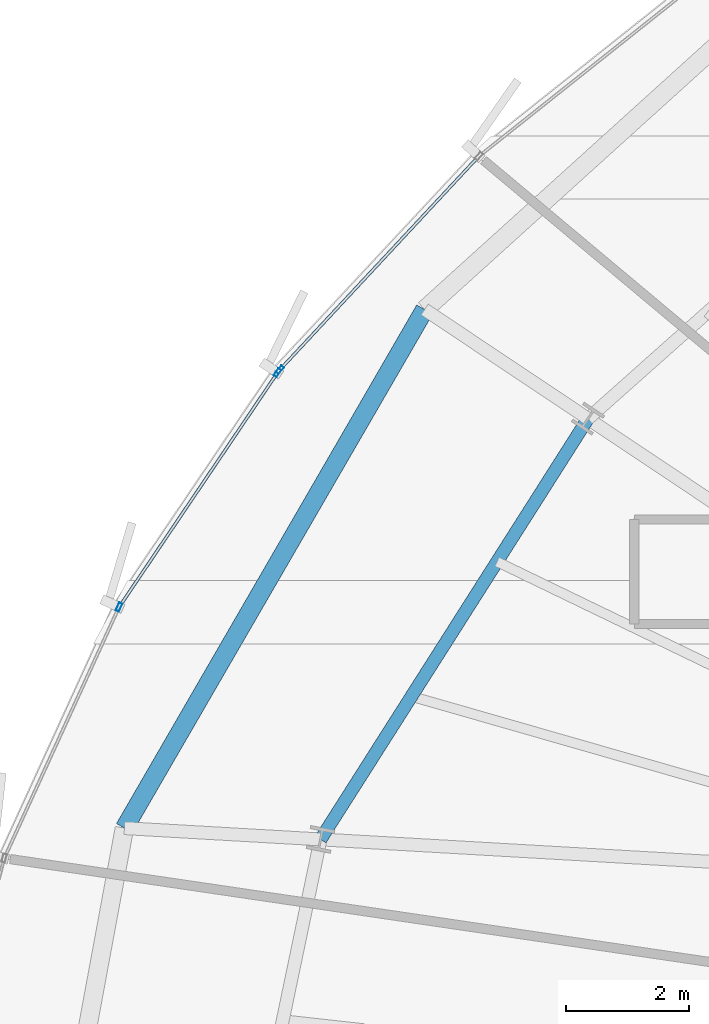
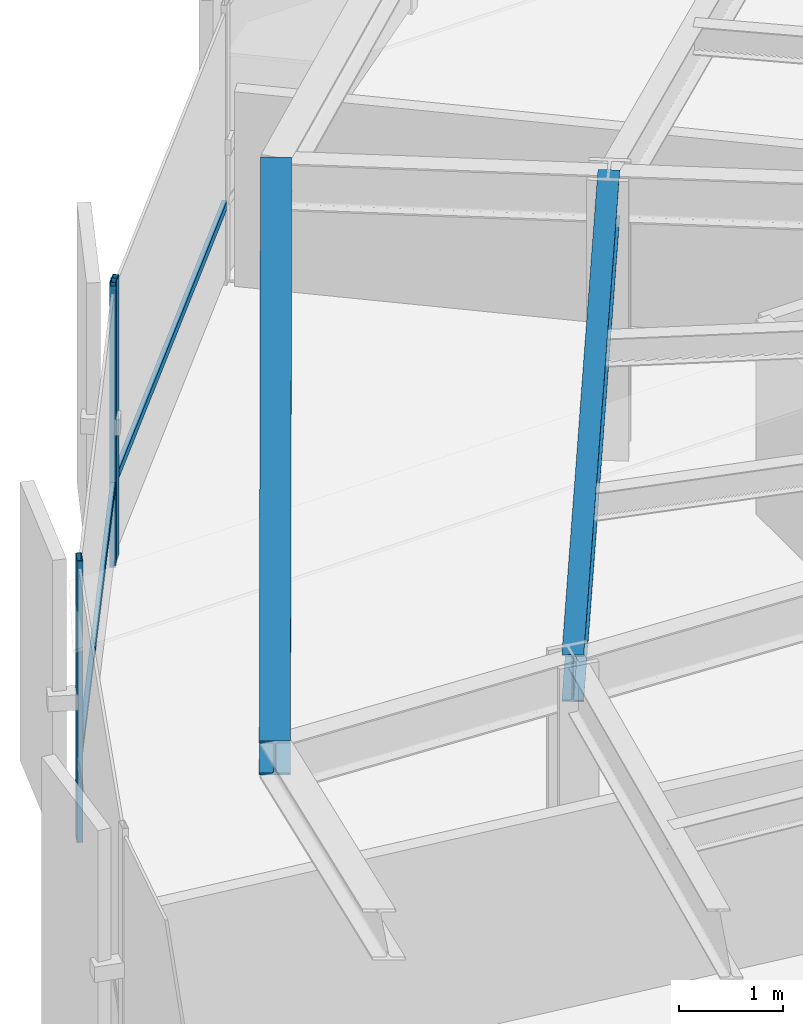
# One storey, part 18 of 35: 5 members, 2 beams, 2 elements without a shape of their own.
"""IFC4 building model written with IfcOpenShell, lengths in metres."""

from ifc_helpers import new_model, si_unit, direction, frame, origin, origin_2d, place, context, subcontext, project, spatial, hollow_rectangle, i_section, extrude, source, transform, mapped, material, layer, layer_set, material_profile, profile_set, type_object, element, aggregate, save


model = new_model("IFC4")

# Units and contexts
model_context = context("Model", 3, precision=1e-05, world=origin(), true_north=direction((0.0, 1.0)))
body_context = subcontext(model_context, "Body", "Model", "MODEL_VIEW")
ifc_project = project(units=[si_unit("LENGTHUNIT", "METRE"), si_unit("AREAUNIT", "SQUARE_METRE"), si_unit("VOLUMEUNIT", "CUBIC_METRE"), si_unit("PLANEANGLEUNIT", "RADIAN"), si_unit("MASSUNIT", "GRAM", prefix="KILO"), si_unit("THERMODYNAMICTEMPERATUREUNIT", "KELVIN")], contexts=[model_context])

# Site, building, storey
site_placement = place(None, origin())
site = spatial("IfcSite", under=ifc_project, at=site_placement, CompositionType="ELEMENT")
building_placement = place(site_placement, origin())
building = spatial("IfcBuilding", under=site, at=building_placement, Name="Kethvar Cultural Tower", CompositionType="ELEMENT")
storey_placement = place(building_placement, frame((0.0, 0.0, 139.449951171875)))
storey = spatial("IfcBuildingStorey", under=building, at=storey_placement, Name="L35", CompositionType="ELEMENT", Elevation=139.449951171875)

# Beams
ifc_material_1 = material(Name="Steel S355J2", Category="steel")
ifc_material_profile_1 = material_profile(ifc_material_1, i_section(OverallWidth=0.2099609375, OverallDepth=0.550048828125, WebThickness=0.010986328125, FlangeThickness=0.01708984375, FilletRadius=0.02392578125, at=origin_2d()), Name="Steel S355J2 — IPE550")
ifc_profile_set_1 = profile_set([ifc_material_profile_1], Name="Steel S355J2 — IPE550")
beam_type_1 = type_object("IfcBeamType", Name="BM-IPE550", PredefinedType="BEAM", material=ifc_profile_set_1)
shared_shape_1 = source(origin(), body_context, "Body", "SweptSolid", [
    extrude(i_section(OverallWidth=0.2099609375, OverallDepth=0.550048828125, WebThickness=0.010986328125, FlangeThickness=0.01708984375, FilletRadius=0.02392578125, at=origin_2d()), origin(), (0.0, 0.0, 1.0), 8.122314453125),
])
beam_1_placement = place(storey_placement, frame((30.345947265625, 38.794189453125, 3.02294921875), z_axis=(-0.536478664647, -0.843913883272, 0.0), x_axis=(0.843913883272, -0.536478664647, 0.0)))
element("IfcBeam", 1, at=beam_1_placement, inside=storey, type_object=beam_type_1, Name="L35 Column Ring Tie Beam CR-07", PredefinedType="BEAM", context=body_context, shape_type="MappedRepresentation", body=[
    mapped(shared_shape_1, transform((0.0, 0.0, 0.0), scale=1.0)),
])
ifc_material_profile_2 = material_profile(ifc_material_1, i_section(OverallWidth=0.300048828125, OverallDepth=0.39990234375, WebThickness=0.013427734375, FlangeThickness=0.02392578125, FilletRadius=0.027099609375, at=origin_2d()), Name="Steel S355J2 — HEB400")
ifc_profile_set_2 = profile_set([ifc_material_profile_2], Name="Steel S355J2 — HEB400")
beam_type_2 = type_object("IfcBeamType", Name="BM-SP400", PredefinedType="SPANDREL", material=ifc_profile_set_2)
shared_shape_2 = source(origin(), body_context, "Body", "SweptSolid", [
    extrude(i_section(OverallWidth=0.300048828125, OverallDepth=0.39990234375, WebThickness=0.013427734375, FlangeThickness=0.02392578125, FilletRadius=0.027099609375, at=origin_2d()), origin(), (0.0, 0.0, 1.0), 9.762939453125),
])
beam_2_placement = place(storey_placement, frame((27.685302734375, 40.572021484375, 3.09814453125), z_axis=(-0.501043170838, -0.865422290536, 0.0), x_axis=(0.865422290536, -0.501043170838, 0.0)))
element("IfcBeam", 2, at=beam_2_placement, inside=storey, type_object=beam_type_2, Name="L35 Perimeter Spandrel Beam SP-07", PredefinedType="SPANDREL", context=body_context, shape_type="MappedRepresentation", body=[
    mapped(shared_shape_2, transform((0.0, 0.0, 0.0), scale=1.0)),
])

# Curtain wall, member
ifc_material_2 = material(Name="Aluminium 6063-T6", Category="aluminium")
ifc_layer = layer(ifc_material_2, 0.179931640625, Name="Aluminium 6063-T6", Category="aluminium")
ifc_layer_set = layer_set([ifc_layer], Name="Aluminium 6063-T6 (180 mm)")
curtain_wall_type = type_object("IfcCurtainWallType", Name="CW-SYS-04-Z34", PredefinedType="NOTDEFINED", material=ifc_layer_set)
curtain_wall_1_placement = place(storey_placement, origin())
curtain_wall_1 = element("IfcCurtainWall", 3, at=curtain_wall_1_placement, inside=storey, type_object=curtain_wall_type, Name="L35 Curtain Wall Run 02", PredefinedType="NOTDEFINED")
ifc_material_profile_3 = material_profile(ifc_material_2, hollow_rectangle(XDim=0.06005859375, YDim=0.139892578125, WallThickness=0.0048828125, at=origin_2d()), Name="Aluminium 6063-T6 — RHS140x60x5")
ifc_profile_set_3 = profile_set([ifc_material_profile_3], Name="Aluminium 6063-T6 — RHS140x60x5")
member_type_1 = type_object("IfcMemberType", Name="CW-SYS-04-Z34-MUL", PredefinedType="MULLION", material=ifc_profile_set_3)
shared_shape_3 = source(origin(), body_context, "Body", "SweptSolid", [
    extrude(hollow_rectangle(XDim=0.06005859375, YDim=0.139892578125, WallThickness=0.0048828125, at=origin_2d()), origin(), (0.0, 0.0, 1.0), 3.300048828125),
])
member_1_placement = place(storey_placement, frame((25.325439453125, 39.590576171875, 0.0), z_axis=(0.0, 0.0, 1.0), x_axis=(0.731591719395, -0.681743027916, 0.0)))
member_1 = element("IfcMember", 4, at=member_1_placement, type_object=member_type_1, Name="CW-L35-R02 Mullion 7", PredefinedType="MULLION", context=body_context, shape_type="MappedRepresentation", body=[
    mapped(shared_shape_3, transform((0.0, 0.0, 0.0), scale=1.0)),
])

# Curtain wall, members
curtain_wall_2_placement = place(storey_placement, origin())
curtain_wall_2 = element("IfcCurtainWall", 5, at=curtain_wall_2_placement, inside=storey, type_object=curtain_wall_type, Name="L35 Curtain Wall Run 03", PredefinedType="NOTDEFINED")
member_2_placement = place(storey_placement, frame((25.28759765625, 39.543212890625, 0.0), z_axis=(0.0, 0.0, 1.0), x_axis=(0.828607898817, -0.559829393671, 0.0)))
member_2 = element("IfcMember", 6, at=member_2_placement, type_object=member_type_1, Name="CW-L35-R03 Mullion 1", PredefinedType="MULLION", context=body_context, shape_type="MappedRepresentation", body=[
    mapped(shared_shape_3, transform((0.0, 0.0, 0.0), scale=1.0)),
])
member_3_placement = place(storey_placement, frame((22.705810546875, 35.724365234375, 0.0), z_axis=(0.0, 0.0, 1.0), x_axis=(0.909555521609, -0.415582426374, 0.0)))
member_3 = element("IfcMember", 7, at=member_3_placement, type_object=member_type_1, Name="CW-L35-R03 Mullion 2", PredefinedType="MULLION", context=body_context, shape_type="MappedRepresentation", body=[
    mapped(shared_shape_3, transform((0.0, 0.0, 0.0), scale=1.0)),
])

# Member
ifc_material_profile_4 = material_profile(ifc_material_2, hollow_rectangle(XDim=0.050048828125, YDim=0.10009765625, WallThickness=0.00390625, at=origin_2d()), Name="Aluminium 6063-T6 — RHS100x50x4")
ifc_profile_set_4 = profile_set([ifc_material_profile_4], Name="Aluminium 6063-T6 — RHS100x50x4")
member_type_2 = type_object("IfcMemberType", Name="CW-SYS-04-Z34-TRN", PredefinedType="USERDEFINED", material=ifc_profile_set_4)
shared_shape_4 = source(origin(), body_context, "Body", "SweptSolid", [
    extrude(hollow_rectangle(XDim=0.050048828125, YDim=0.10009765625, WallThickness=0.00390625, at=origin_2d()), origin(), (0.0, 0.0, 1.0), 4.707763671875),
])
member_4_placement = place(storey_placement, frame((28.53759765625, 43.037841796875, 0.949951171875), z_axis=(-0.681748940812, -0.731586209344, 0.0), x_axis=(0.731586209344, -0.681748940812, 0.0)))
member_4 = element("IfcMember", 8, at=member_4_placement, type_object=member_type_2, Name="CW-L35-R02 Transom 6", ObjectType="TRANSOM", PredefinedType="USERDEFINED", context=body_context, shape_type="MappedRepresentation", body=[
    mapped(shared_shape_4, transform((0.0, 0.0, 0.0), scale=1.0)),
])

aggregate(curtain_wall_1, [member_1, member_4])

shared_shape_5 = source(origin(), body_context, "Body", "SweptSolid", [
    extrude(hollow_rectangle(XDim=0.050048828125, YDim=0.10009765625, WallThickness=0.00390625, at=origin_2d()), origin(), (0.0, 0.0, 1.0), 4.580810546875),
])
member_5_placement = place(storey_placement, frame((25.285400390625, 39.539794921875, 0.949951171875), z_axis=(-0.559830709077, -0.828607010093, 0.0), x_axis=(0.828607010093, -0.559830709077, 0.0)))
member_5 = element("IfcMember", 9, at=member_5_placement, type_object=member_type_2, Name="CW-L35-R03 Transom 1", ObjectType="TRANSOM", PredefinedType="USERDEFINED", context=body_context, shape_type="MappedRepresentation", body=[
    mapped(shared_shape_5, transform((0.0, 0.0, 0.0), scale=1.0)),
])

aggregate(curtain_wall_2, [member_2, member_3, member_5])

save(model, "model.ifc")
